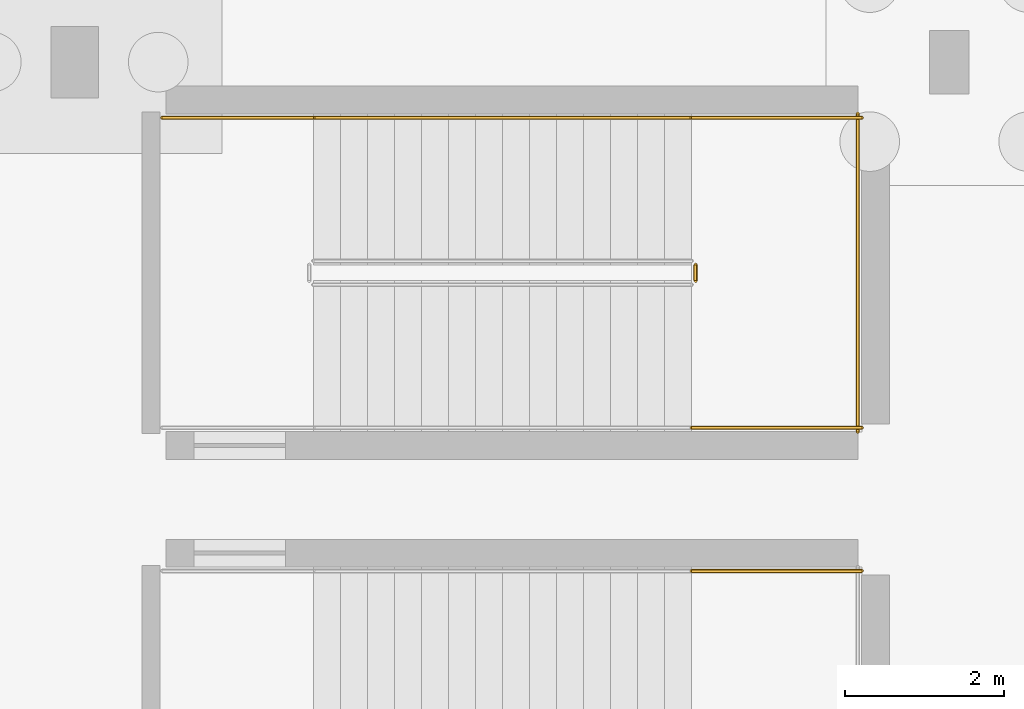
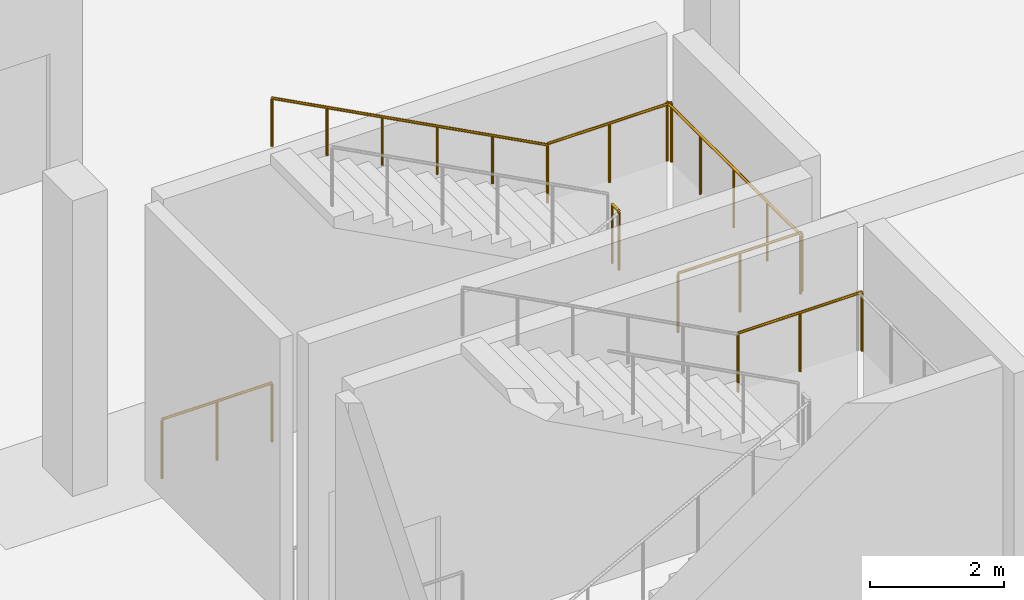
# One storey, part 54 of 60: 7 railings.
"""IFC4 building model written with IfcOpenShell, lengths in metres."""

from ifc_helpers import new_model, si_unit, direction, frame, origin, origin_2d, place, context, subcontext, project, spatial, circle, extrude, material, type_object, element, save


model = new_model("IFC4")

# Units and contexts
model_context = context("Model", 3, precision=1e-05, world=origin(), true_north=direction((0.0, 1.0)))
body_context = subcontext(model_context, "Body", "Model", "MODEL_VIEW")
ifc_project = project(units=[si_unit("LENGTHUNIT", "METRE"), si_unit("AREAUNIT", "SQUARE_METRE"), si_unit("VOLUMEUNIT", "CUBIC_METRE"), si_unit("PLANEANGLEUNIT", "RADIAN"), si_unit("MASSUNIT", "GRAM", prefix="KILO")], contexts=[model_context])

# Site, building, storey
site_placement = place(None, origin())
site = spatial("IfcSite", under=ifc_project, at=site_placement, CompositionType="ELEMENT")
building_placement = place(site_placement, origin())
building = spatial("IfcBuilding", under=site, at=building_placement, Name="Luwafu Chhajja Arena", CompositionType="ELEMENT")
storey_placement = place(building_placement, frame((0.0, 0.0, -5.39990234375)))
storey = spatial("IfcBuildingStorey", under=building, at=storey_placement, Name="B1", CompositionType="ELEMENT", Elevation=-5.39990234375)

# Railings
ifc_material_1 = material(Name="Stainless steel handrail", Category="steel")
railing_type_1 = type_object("IfcRailingType", Name="Stair Pitch Wall Handrail 920", PredefinedType="HANDRAIL", material=ifc_material_1)
railing_1_placement = place(storey_placement, frame((183.760009765625, 21.300048828125, 2.8798828125)))
element("IfcRailing", 1, at=railing_1_placement, inside=storey, type_object=railing_type_1, Name="B1 ST-16 stair handrail 2", PredefinedType="HANDRAIL", context=body_context, shape_type="SweptSolid", body=[
    extrude(circle(Radius=0.02392578125, at=origin_2d()), frame((0.0, 0.0, 0.8759765625), z_axis=(-0.883786813738, 0.0, 0.467889803119), x_axis=(0.0, -1.0, 0.0)), (0.0, 0.0, 1.0), 5.385986328125),
    extrude(circle(Radius=0.02099609375, at=origin_2d()), origin(), (0.0, 0.0, 1.0), 0.851806640625),
    extrude(circle(Radius=0.02099609375, at=origin_2d()), frame((-0.951904296875, 0.0, 0.50390625)), (0.0, 0.0, 1.0), 0.851806640625),
    extrude(circle(Radius=0.02099609375, at=origin_2d()), frame((-1.904052734375, 0.0, 1.008056640625)), (0.0, 0.0, 1.0), 0.851806640625),
    extrude(circle(Radius=0.02099609375, at=origin_2d()), frame((-2.85595703125, 0.0, 1.511962890625)), (0.0, 0.0, 1.0), 0.851806640625),
    extrude(circle(Radius=0.02099609375, at=origin_2d()), frame((-3.80810546875, 0.0, 2.01611328125)), (0.0, 0.0, 1.0), 0.851806640625),
    extrude(circle(Radius=0.02099609375, at=origin_2d()), frame((-4.760009765625, 0.0, 2.52001953125)), (0.0, 0.0, 1.0), 0.851806640625),
])
ifc_material_2 = material(Name="Stainless steel balustrade", Category="steel")
railing_type_2 = type_object("IfcRailingType", Name="Stair and Terrace Guard Balustrade 1100", PredefinedType="BALUSTRADE", material=ifc_material_2)
railing_2_placement = place(storey_placement, frame((183.760009765625, 15.60009765625, 2.699951171875)))
element("IfcRailing", 2, at=railing_2_placement, inside=storey, type_object=railing_type_2, Name="B1 ST-15 stair guard 4", PredefinedType="BALUSTRADE", context=body_context, shape_type="SweptSolid", body=[
    extrude(circle(Radius=0.02392578125, at=origin_2d()), frame((0.0, 0.0, 1.076171875), z_axis=(1.0, 0.0, 0.0), x_axis=(0.0, 1.0, 0.0)), (0.0, 0.0, 1.0), 2.139892578125),
    extrude(circle(Radius=0.02099609375, at=origin_2d()), origin(), (0.0, 0.0, 1.0), 1.052001953125),
    extrude(circle(Radius=0.02099609375, at=origin_2d()), frame((1.06982421875, 0.0, 0.0)), (0.0, 0.0, 1.0), 1.052001953125),
    extrude(circle(Radius=0.02099609375, at=origin_2d()), frame((2.139892578125, 0.0, 0.0)), (0.0, 0.0, 1.0), 1.052001953125),
])
railing_3_placement = place(storey_placement, frame((183.81005859375, 19.25, 2.699951171875)))
element("IfcRailing", 3, at=railing_3_placement, inside=storey, type_object=railing_type_2, Name="B1 ST-16 stair guard 2", PredefinedType="BALUSTRADE", context=body_context, shape_type="SweptSolid", body=[
    extrude(circle(Radius=0.02392578125, at=origin_2d()), frame((0.0, 0.0, 1.076171875), z_axis=(0.0, 1.0, 0.0), x_axis=(-1.0, 0.0, 0.0)), (0.0, 0.0, 1.0), 0.199951171875),
    extrude(circle(Radius=0.02099609375, at=origin_2d()), origin(), (0.0, 0.0, 1.0), 1.052001953125),
    extrude(circle(Radius=0.02099609375, at=origin_2d()), frame((0.0, 0.199951171875, 0.0)), (0.0, 0.0, 1.0), 1.052001953125),
])
for number, where, name in (
    (4, (183.760009765625, 17.39990234375, 2.699951171875), "B1 ST-16 stair guard 3"),
    (5, (183.760009765625, 21.300048828125, 2.699951171875), "B1 ST-16 stair guard 4"),
):
    element("IfcRailing", number, at=place(storey_placement, frame(where)), inside=storey, type_object=railing_type_2, Name=name, PredefinedType="BALUSTRADE", context=body_context, shape_type="SweptSolid", body=[
        extrude(circle(Radius=0.02392578125, at=origin_2d()), frame((0.0, 0.0, 1.076171875), z_axis=(1.0, 0.0, 0.0), x_axis=(0.0, 1.0, 0.0)), (0.0, 0.0, 1.0), 2.139892578125),
        extrude(circle(Radius=0.02099609375, at=origin_2d()), origin(), (0.0, 0.0, 1.0), 1.052001953125),
        extrude(circle(Radius=0.02099609375, at=origin_2d()), frame((1.06982421875, 0.0, 0.0)), (0.0, 0.0, 1.0), 1.052001953125),
        extrude(circle(Radius=0.02099609375, at=origin_2d()), frame((2.139892578125, 0.0, 0.0)), (0.0, 0.0, 1.0), 1.052001953125),
    ])
railing_4_placement = place(storey_placement, frame((185.85009765625, 17.35009765625, 2.699951171875)))
element("IfcRailing", 6, at=railing_4_placement, inside=storey, type_object=railing_type_2, Name="B1 ST-16 stair guard 5", PredefinedType="BALUSTRADE", context=body_context, shape_type="SweptSolid", body=[
    extrude(circle(Radius=0.02392578125, at=origin_2d()), frame((0.0, 0.0, 1.076171875), z_axis=(0.0, 1.0, 0.0), x_axis=(-1.0, 0.0, 0.0)), (0.0, 0.0, 1.0), 4.0),
    extrude(circle(Radius=0.02099609375, at=origin_2d()), origin(), (0.0, 0.0, 1.0), 1.052001953125),
    extrude(circle(Radius=0.02099609375, at=origin_2d()), frame((0.0, 1.0, 0.0)), (0.0, 0.0, 1.0), 1.052001953125),
    extrude(circle(Radius=0.02099609375, at=origin_2d()), frame((0.0, 2.0, 0.0)), (0.0, 0.0, 1.0), 1.052001953125),
    extrude(circle(Radius=0.02099609375, at=origin_2d()), frame((0.0, 3.0, 0.0)), (0.0, 0.0, 1.0), 1.052001953125),
    extrude(circle(Radius=0.02099609375, at=origin_2d()), frame((0.0, 4.0, 0.0)), (0.0, 0.0, 1.0), 1.052001953125),
])
railing_5_placement = place(storey_placement, frame((177.10009765625, 21.300048828125, 0.0)))
element("IfcRailing", 7, at=railing_5_placement, inside=storey, type_object=railing_type_2, Name="B1 ST-16 stair guard 9", PredefinedType="BALUSTRADE", context=body_context, shape_type="SweptSolid", body=[
    extrude(circle(Radius=0.02392578125, at=origin_2d()), frame((0.0, 0.0, 1.076171875), z_axis=(1.0, 0.0, 0.0), x_axis=(0.0, 1.0, 0.0)), (0.0, 0.0, 1.0), 1.89990234375),
    extrude(circle(Radius=0.02099609375, at=origin_2d()), origin(), (0.0, 0.0, 1.0), 1.052001953125),
    extrude(circle(Radius=0.02099609375, at=origin_2d()), frame((0.949951171875, 0.0, 0.0)), (0.0, 0.0, 1.0), 1.052001953125),
    extrude(circle(Radius=0.02099609375, at=origin_2d()), frame((1.89990234375, 0.0, 0.0)), (0.0, 0.0, 1.0), 1.052001953125),
])

save(model, "model.ifc")
